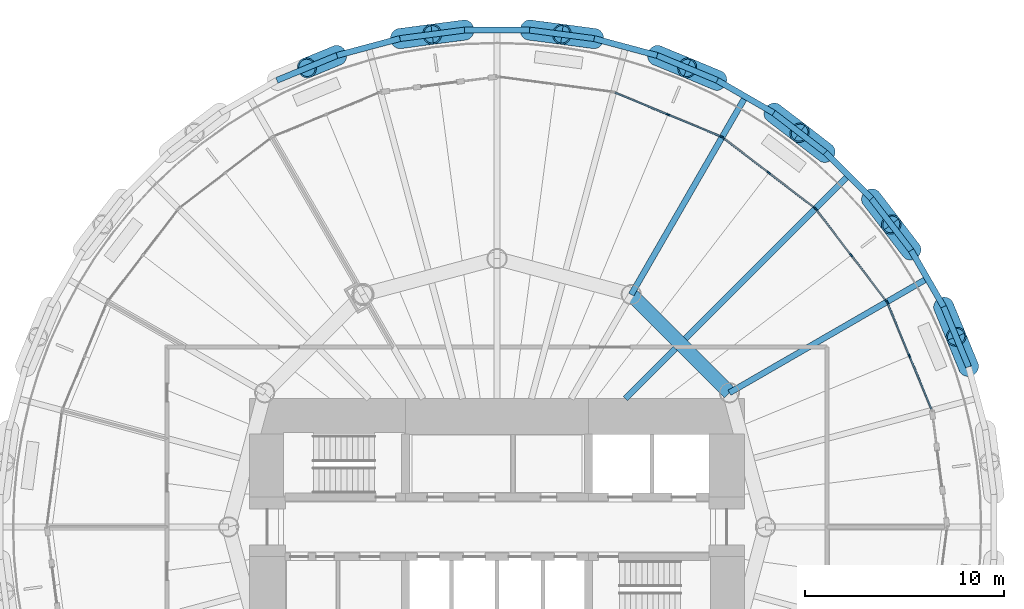
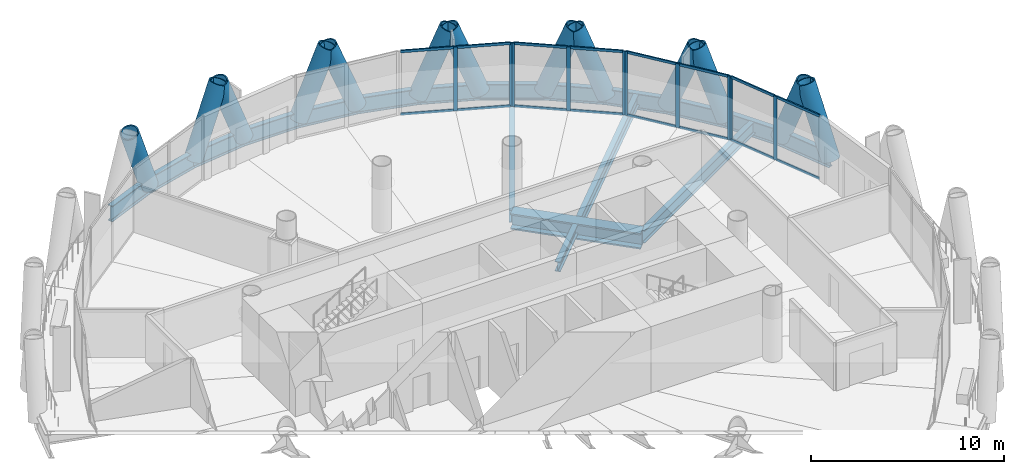
# One storey, part 7 of 15: 39 members, 18 beams, 4 elements without a shape of their own.
"""IFC4 building model written with IfcOpenShell, lengths in metres."""

from ifc_helpers import new_model, si_unit, direction, frame, origin, origin_2d, place, context, subcontext, project, spatial, rectangle, hollow_circle, i_section, extrude, material, material_profile, profile_set, type_object, element, aggregate, save


model = new_model("IFC4")

# Units and contexts
model_context = context("Model", 3, precision=1e-05, world=origin(), true_north=direction((0.0, 1.0)))
body_context = subcontext(model_context, "Body", "Model", "MODEL_VIEW")
ifc_project = project(units=[si_unit("LENGTHUNIT", "METRE"), si_unit("AREAUNIT", "SQUARE_METRE"), si_unit("VOLUMEUNIT", "CUBIC_METRE"), si_unit("PLANEANGLEUNIT", "RADIAN"), si_unit("MASSUNIT", "GRAM", prefix="KILO")], contexts=[model_context])

# Site, building, storey
site_placement = place(None, origin())
site = spatial("IfcSite", under=ifc_project, at=site_placement, CompositionType="ELEMENT")
building_placement = place(site_placement, origin())
building = spatial("IfcBuilding", under=site, at=building_placement, Name="Qaws Media Tower", CompositionType="ELEMENT")
storey_placement = place(building_placement, frame((0.0, 0.0, 131.0)))
storey = spatial("IfcBuildingStorey", under=building, at=storey_placement, Name="L29", CompositionType="ELEMENT", Elevation=131.0)

# Curtain wall, members
ifc_material_1 = material(Name="Aluminium and clear glass", Category="aluminium")
curtain_wall_type = type_object("IfcCurtainWallType", Name="Unitised curtain wall CW-B", PredefinedType="NOTDEFINED", material=ifc_material_1)
curtain_wall_1_placement = place(storey_placement, origin())
curtain_wall_1 = element("IfcCurtainWall", 1, at=curtain_wall_1_placement, inside=storey, type_object=curtain_wall_type, Name="CWB curtain wall L29-02", PredefinedType="NOTDEFINED")
ifc_material_2 = material(Name="Aluminium mullion", Category="aluminium")
ifc_material_profile_1 = material_profile(ifc_material_2, rectangle(XDim=0.080078125, YDim=0.199951171875, at=origin_2d()), Name="80x200")
ifc_profile_set_1 = profile_set([ifc_material_profile_1], Name="Aluminium mullion")
member_type_1 = type_object("IfcMemberType", Name="Curtain wall mullion 80x200", PredefinedType="MULLION", material=ifc_profile_set_1)
member_1_placement = place(storey_placement, frame((80.746826171875, 58.593505859375, 0.0), z_axis=(0.0, 0.0, 1.0), x_axis=(-0.923879515987, -0.382683472258, 0.0)))
member_1 = element("IfcMember", 2, at=member_1_placement, type_object=member_type_1, Name="CWB mullion 2", PredefinedType="MULLION", context=body_context, shape_type="SweptSolid", body=[
    extrude(rectangle(XDim=0.080078125, YDim=0.199951171875, at=origin_2d()), origin(), (0.0, 0.0, 1.0), 4.0400390625),
])
member_2_placement = place(storey_placement, frame((79.630859375, 61.2880859375, 0.0), z_axis=(0.0, 0.0, 1.0), x_axis=(-0.923879515987, -0.382683472258, 0.0)))
member_2 = element("IfcMember", 3, at=member_2_placement, type_object=member_type_1, Name="CWB mullion 3", PredefinedType="MULLION", context=body_context, shape_type="SweptSolid", body=[
    extrude(rectangle(XDim=0.080078125, YDim=0.199951171875, at=origin_2d()), origin(), (0.0, 0.0, 1.0), 4.0400390625),
])

curtain_wall_2_placement = place(storey_placement, origin())
curtain_wall_2 = element("IfcCurtainWall", 4, at=curtain_wall_2_placement, inside=storey, type_object=curtain_wall_type, Name="CWB curtain wall L29-03", PredefinedType="NOTDEFINED")
member_3_placement = place(storey_placement, frame((79.591064453125, 61.356689453125, 0.0), z_axis=(0.0, 0.0, 1.0), x_axis=(-0.79335343124, -0.608761310482, 0.0)))
member_3 = element("IfcMember", 5, at=member_3_placement, type_object=member_type_1, Name="CWB mullion 1", PredefinedType="MULLION", context=body_context, shape_type="SweptSolid", body=[
    extrude(rectangle(XDim=0.080078125, YDim=0.199951171875, at=origin_2d()), origin(), (0.0, 0.0, 1.0), 4.0400390625),
])
member_4_placement = place(storey_placement, frame((77.815673828125, 63.67041015625, 0.0), z_axis=(0.0, 0.0, 1.0), x_axis=(-0.79335343124, -0.608761310482, 0.0)))
member_4 = element("IfcMember", 6, at=member_4_placement, type_object=member_type_1, Name="CWB mullion 2", PredefinedType="MULLION", context=body_context, shape_type="SweptSolid", body=[
    extrude(rectangle(XDim=0.080078125, YDim=0.199951171875, at=origin_2d()), origin(), (0.0, 0.0, 1.0), 4.0400390625),
])
member_5_placement = place(storey_placement, frame((76.040283203125, 65.984130859375, 0.0), z_axis=(0.0, 0.0, 1.0), x_axis=(-0.79335343124, -0.608761310482, 0.0)))
member_5 = element("IfcMember", 7, at=member_5_placement, type_object=member_type_1, Name="CWB mullion 3", PredefinedType="MULLION", context=body_context, shape_type="SweptSolid", body=[
    extrude(rectangle(XDim=0.080078125, YDim=0.199951171875, at=origin_2d()), origin(), (0.0, 0.0, 1.0), 4.0400390625),
])

curtain_wall_3_placement = place(storey_placement, origin())
curtain_wall_3 = element("IfcCurtainWall", 8, at=curtain_wall_3_placement, inside=storey, type_object=curtain_wall_type, Name="CWB curtain wall L29-04", PredefinedType="NOTDEFINED")
member_6_placement = place(storey_placement, frame((75.984130859375, 66.040283203125, 0.0), z_axis=(0.0, 0.0, 1.0), x_axis=(-0.608761310482, -0.79335343124, 0.0)))
member_6 = element("IfcMember", 9, at=member_6_placement, type_object=member_type_1, Name="CWB mullion 1", PredefinedType="MULLION", context=body_context, shape_type="SweptSolid", body=[
    extrude(rectangle(XDim=0.080078125, YDim=0.199951171875, at=origin_2d()), origin(), (0.0, 0.0, 1.0), 4.0400390625),
])
member_7_placement = place(storey_placement, frame((73.67041015625, 67.815673828125, 0.0), z_axis=(0.0, 0.0, 1.0), x_axis=(-0.608761310482, -0.79335343124, 0.0)))
member_7 = element("IfcMember", 10, at=member_7_placement, type_object=member_type_1, Name="CWB mullion 2", PredefinedType="MULLION", context=body_context, shape_type="SweptSolid", body=[
    extrude(rectangle(XDim=0.080078125, YDim=0.199951171875, at=origin_2d()), origin(), (0.0, 0.0, 1.0), 4.0400390625),
])
member_8_placement = place(storey_placement, frame((71.356689453125, 69.591064453125, 0.0), z_axis=(0.0, 0.0, 1.0), x_axis=(-0.608761310482, -0.79335343124, 0.0)))
member_8 = element("IfcMember", 11, at=member_8_placement, type_object=member_type_1, Name="CWB mullion 3", PredefinedType="MULLION", context=body_context, shape_type="SweptSolid", body=[
    extrude(rectangle(XDim=0.080078125, YDim=0.199951171875, at=origin_2d()), origin(), (0.0, 0.0, 1.0), 4.0400390625),
])

curtain_wall_4_placement = place(storey_placement, origin())
curtain_wall_4 = element("IfcCurtainWall", 12, at=curtain_wall_4_placement, inside=storey, type_object=curtain_wall_type, Name="CWB curtain wall L29-05", PredefinedType="NOTDEFINED")
member_9_placement = place(storey_placement, frame((71.2880859375, 69.630859375, 0.0), z_axis=(0.0, 0.0, 1.0), x_axis=(-0.382683472258, -0.923879515987, 0.0)))
member_9 = element("IfcMember", 13, at=member_9_placement, type_object=member_type_1, Name="CWB mullion 1", PredefinedType="MULLION", context=body_context, shape_type="SweptSolid", body=[
    extrude(rectangle(XDim=0.080078125, YDim=0.199951171875, at=origin_2d()), origin(), (0.0, 0.0, 1.0), 4.0400390625),
])
member_10_placement = place(storey_placement, frame((68.593505859375, 70.746826171875, 0.0), z_axis=(0.0, 0.0, 1.0), x_axis=(-0.382683472258, -0.923879515987, 0.0)))
member_10 = element("IfcMember", 14, at=member_10_placement, type_object=member_type_1, Name="CWB mullion 2", PredefinedType="MULLION", context=body_context, shape_type="SweptSolid", body=[
    extrude(rectangle(XDim=0.080078125, YDim=0.199951171875, at=origin_2d()), origin(), (0.0, 0.0, 1.0), 4.0400390625),
])

# Member
ifc_material_3 = material(Name="Aluminium transom", Category="aluminium")
ifc_material_profile_2 = material_profile(ifc_material_3, rectangle(XDim=0.080078125, YDim=0.159912109375, at=origin_2d()), Name="80x160")
ifc_profile_set_2 = profile_set([ifc_material_profile_2], Name="Aluminium transom")
member_type_2 = type_object("IfcMemberType", Name="Curtain wall transom 80x160", PredefinedType="USERDEFINED", material=ifc_profile_set_2)
member_11_placement = place(storey_placement, frame((81.84765625, 55.936279296875, 0.0400390625), z_axis=(-0.382701494265, 0.92387205082, 0.0), x_axis=(-0.92387205082, -0.382701494265, 0.0)))
member_11 = element("IfcMember", 15, at=member_11_placement, type_object=member_type_2, Name="CWB transom 1.1", ObjectType="TRANSOM", PredefinedType="USERDEFINED", context=body_context, shape_type="SweptSolid", body=[
    extrude(rectangle(XDim=0.080078125, YDim=0.159912109375, at=origin_2d()), origin(), (0.0, 0.0, 1.0), 2.836181640625),
])

member_12_placement = place(storey_placement, frame((81.84765625, 55.936279296875, 4.0), z_axis=(-0.382701494265, 0.92387205082, 0.0), x_axis=(-0.92387205082, -0.382701494265, 0.0)))
member_12 = element("IfcMember", 16, at=member_12_placement, type_object=member_type_2, Name="CWB transom 1.2", ObjectType="TRANSOM", PredefinedType="USERDEFINED", context=body_context, shape_type="SweptSolid", body=[
    extrude(rectangle(XDim=0.080078125, YDim=0.159912109375, at=origin_2d()), origin(), (0.0, 0.0, 1.0), 2.836181640625),
])

member_13_placement = place(storey_placement, frame((80.7314453125, 58.630615234375, 0.0400390625), z_axis=(-0.382701494265, 0.92387205082, 0.0), x_axis=(-0.92387205082, -0.382701494265, 0.0)))
member_13 = element("IfcMember", 17, at=member_13_placement, type_object=member_type_2, Name="CWB transom 2.1", ObjectType="TRANSOM", PredefinedType="USERDEFINED", context=body_context, shape_type="SweptSolid", body=[
    extrude(rectangle(XDim=0.080078125, YDim=0.159912109375, at=origin_2d()), origin(), (0.0, 0.0, 1.0), 2.836181640625),
])

member_14_placement = place(storey_placement, frame((80.7314453125, 58.630615234375, 4.0), z_axis=(-0.382701494265, 0.92387205082, 0.0), x_axis=(-0.92387205082, -0.382701494265, 0.0)))
member_14 = element("IfcMember", 18, at=member_14_placement, type_object=member_type_2, Name="CWB transom 2.2", ObjectType="TRANSOM", PredefinedType="USERDEFINED", context=body_context, shape_type="SweptSolid", body=[
    extrude(rectangle(XDim=0.080078125, YDim=0.159912109375, at=origin_2d()), origin(), (0.0, 0.0, 1.0), 2.836181640625),
])

aggregate(curtain_wall_1, [member_1, member_2, member_11, member_12, member_13, member_14])

member_15_placement = place(storey_placement, frame((79.56689453125, 61.388427734375, 0.0400390625), z_axis=(-0.608791070465, 0.793330594722, 0.0), x_axis=(-0.793330594722, -0.608791070465, 0.0)))
member_15 = element("IfcMember", 19, at=member_15_placement, type_object=member_type_2, Name="CWB transom 1.1", ObjectType="TRANSOM", PredefinedType="USERDEFINED", context=body_context, shape_type="SweptSolid", body=[
    extrude(rectangle(XDim=0.080078125, YDim=0.159912109375, at=origin_2d()), origin(), (0.0, 0.0, 1.0), 2.83642578125),
])

member_16_placement = place(storey_placement, frame((79.56689453125, 61.388427734375, 4.0), z_axis=(-0.608791070465, 0.793330594722, 0.0), x_axis=(-0.793330594722, -0.608791070465, 0.0)))
member_16 = element("IfcMember", 20, at=member_16_placement, type_object=member_type_2, Name="CWB transom 1.2", ObjectType="TRANSOM", PredefinedType="USERDEFINED", context=body_context, shape_type="SweptSolid", body=[
    extrude(rectangle(XDim=0.080078125, YDim=0.159912109375, at=origin_2d()), origin(), (0.0, 0.0, 1.0), 2.83642578125),
])

member_17_placement = place(storey_placement, frame((77.791259765625, 63.7021484375, 0.0400390625), z_axis=(-0.608736894437, 0.793372165728, 0.0), x_axis=(-0.793372165728, -0.608736894437, 0.0)))
member_17 = element("IfcMember", 21, at=member_17_placement, type_object=member_type_2, Name="CWB transom 2.1", ObjectType="TRANSOM", PredefinedType="USERDEFINED", context=body_context, shape_type="SweptSolid", body=[
    extrude(rectangle(XDim=0.080078125, YDim=0.159912109375, at=origin_2d()), origin(), (0.0, 0.0, 1.0), 2.836181640625),
])

member_18_placement = place(storey_placement, frame((77.791259765625, 63.7021484375, 4.0), z_axis=(-0.608736894437, 0.793372165728, 0.0), x_axis=(-0.793372165728, -0.608736894437, 0.0)))
member_18 = element("IfcMember", 22, at=member_18_placement, type_object=member_type_2, Name="CWB transom 2.2", ObjectType="TRANSOM", PredefinedType="USERDEFINED", context=body_context, shape_type="SweptSolid", body=[
    extrude(rectangle(XDim=0.080078125, YDim=0.159912109375, at=origin_2d()), origin(), (0.0, 0.0, 1.0), 2.836181640625),
])

aggregate(curtain_wall_2, [member_3, member_4, member_5, member_15, member_16, member_17, member_18])

member_19_placement = place(storey_placement, frame((75.952392578125, 66.064697265625, 0.0400390625), z_axis=(-0.793372165728, 0.608736894437, 0.0), x_axis=(-0.608736894437, -0.793372165728, 0.0)))
member_19 = element("IfcMember", 23, at=member_19_placement, type_object=member_type_2, Name="CWB transom 1.1", ObjectType="TRANSOM", PredefinedType="USERDEFINED", context=body_context, shape_type="SweptSolid", body=[
    extrude(rectangle(XDim=0.080078125, YDim=0.159912109375, at=origin_2d()), origin(), (0.0, 0.0, 1.0), 2.836181640625),
])

member_20_placement = place(storey_placement, frame((75.952392578125, 66.064697265625, 4.0), z_axis=(-0.793372165728, 0.608736894437, 0.0), x_axis=(-0.608736894437, -0.793372165728, 0.0)))
member_20 = element("IfcMember", 24, at=member_20_placement, type_object=member_type_2, Name="CWB transom 1.2", ObjectType="TRANSOM", PredefinedType="USERDEFINED", context=body_context, shape_type="SweptSolid", body=[
    extrude(rectangle(XDim=0.080078125, YDim=0.159912109375, at=origin_2d()), origin(), (0.0, 0.0, 1.0), 2.836181640625),
])

member_21_placement = place(storey_placement, frame((73.638671875, 67.840087890625, 0.0400390625), z_axis=(-0.793330594722, 0.608791070465, 0.0), x_axis=(-0.608791070465, -0.793330594722, 0.0)))
member_21 = element("IfcMember", 25, at=member_21_placement, type_object=member_type_2, Name="CWB transom 2.1", ObjectType="TRANSOM", PredefinedType="USERDEFINED", context=body_context, shape_type="SweptSolid", body=[
    extrude(rectangle(XDim=0.080078125, YDim=0.159912109375, at=origin_2d()), origin(), (0.0, 0.0, 1.0), 2.83642578125),
])

member_22_placement = place(storey_placement, frame((73.638671875, 67.840087890625, 4.0), z_axis=(-0.793330594722, 0.608791070465, 0.0), x_axis=(-0.608791070465, -0.793330594722, 0.0)))
member_22 = element("IfcMember", 26, at=member_22_placement, type_object=member_type_2, Name="CWB transom 2.2", ObjectType="TRANSOM", PredefinedType="USERDEFINED", context=body_context, shape_type="SweptSolid", body=[
    extrude(rectangle(XDim=0.080078125, YDim=0.159912109375, at=origin_2d()), origin(), (0.0, 0.0, 1.0), 2.83642578125),
])

aggregate(curtain_wall_3, [member_6, member_7, member_8, member_19, member_20, member_21, member_22])

member_23_placement = place(storey_placement, frame((71.2509765625, 69.64599609375, 0.0400390625), z_axis=(-0.92387205082, 0.382701494265, 0.0), x_axis=(-0.382701494265, -0.92387205082, 0.0)))
member_23 = element("IfcMember", 27, at=member_23_placement, type_object=member_type_2, Name="CWB transom 1.1", ObjectType="TRANSOM", PredefinedType="USERDEFINED", context=body_context, shape_type="SweptSolid", body=[
    extrude(rectangle(XDim=0.080078125, YDim=0.159912109375, at=origin_2d()), origin(), (0.0, 0.0, 1.0), 2.836181640625),
])

member_24_placement = place(storey_placement, frame((71.2509765625, 69.64599609375, 4.0), z_axis=(-0.92387205082, 0.382701494265, 0.0), x_axis=(-0.382701494265, -0.92387205082, 0.0)))
member_24 = element("IfcMember", 28, at=member_24_placement, type_object=member_type_2, Name="CWB transom 1.2", ObjectType="TRANSOM", PredefinedType="USERDEFINED", context=body_context, shape_type="SweptSolid", body=[
    extrude(rectangle(XDim=0.080078125, YDim=0.159912109375, at=origin_2d()), origin(), (0.0, 0.0, 1.0), 2.836181640625),
])

member_25_placement = place(storey_placement, frame((68.556640625, 70.76220703125, 0.0400390625), z_axis=(-0.92387205082, 0.382701494265, 0.0), x_axis=(-0.382701494265, -0.92387205082, 0.0)))
member_25 = element("IfcMember", 29, at=member_25_placement, type_object=member_type_2, Name="CWB transom 2.1", ObjectType="TRANSOM", PredefinedType="USERDEFINED", context=body_context, shape_type="SweptSolid", body=[
    extrude(rectangle(XDim=0.080078125, YDim=0.159912109375, at=origin_2d()), origin(), (0.0, 0.0, 1.0), 2.836181640625),
])

member_26_placement = place(storey_placement, frame((68.556640625, 70.76220703125, 4.0), z_axis=(-0.92387205082, 0.382701494265, 0.0), x_axis=(-0.382701494265, -0.92387205082, 0.0)))
member_26 = element("IfcMember", 30, at=member_26_placement, type_object=member_type_2, Name="CWB transom 2.2", ObjectType="TRANSOM", PredefinedType="USERDEFINED", context=body_context, shape_type="SweptSolid", body=[
    extrude(rectangle(XDim=0.080078125, YDim=0.159912109375, at=origin_2d()), origin(), (0.0, 0.0, 1.0), 2.836181640625),
])

aggregate(curtain_wall_4, [member_9, member_10, member_23, member_24, member_25, member_26])

# Members
ifc_material_4 = material(Name="Steel S460", Category="steel")
ifc_material_profile_3 = material_profile(ifc_material_4, hollow_circle(Radius=0.508056640625, WallThickness=0.070068359375, at=origin_2d()), Name="CHS 1016x70")
ifc_profile_set_3 = profile_set([ifc_material_profile_3], Name="Steel S460")
member_type_3 = type_object("IfcMemberType", Name="Diagrid member CHS 1016x70", PredefinedType="USERDEFINED", material=ifc_profile_set_3)
for number, where, z_axis, x_axis, name in (
    (31, (83.720703125, 58.052001953125, -0.6640625), (-0.13836391455, 0.336080803796, 0.931614255188), (-0.924699697711, -0.380697345738, 0.0), "DG3 diagrid L29 A02"),
    (32, (80.828369140625, 63.9169921875, -0.6640625), (-0.220625429951, 0.288805944508, 0.931619850624), (-0.794658028711, -0.607057342765, 0.0), "DG3 diagrid L29 A03"),
    (33, (82.466552734375, 61.079345703125, -0.6640625), (0.139828148324, -0.335435922045, 0.931628054074), (0.923015187913, 0.38476351553, 0.0), "DG3 diagrid L29 B03"),
    (34, (76.5166015625, 68.83349609375, -0.6640625), (-0.28783273825, 0.221872197293, 0.93162494753), (-0.610509807701, -0.792008696102, 0.0), "DG3 diagrid L29 A04"),
    (35, (78.83349609375, 66.5166015625, -0.6640625), (0.221872197293, -0.28783273825, 0.93162494753), (0.792008696102, 0.610509807701, 0.0), "DG3 diagrid L29 B04"),
    (36, (71.079345703125, 72.466552734375, -0.6640625), (-0.335435922045, 0.139828148324, 0.931628054074), (-0.38476351553, -0.923015187913, 0.0), "DG3 diagrid L29 A05"),
    (37, (73.9169921875, 70.828369140625, -0.6640625), (0.288805944508, -0.220625429951, 0.931619850624), (0.607057342765, 0.794658028711, 0.0), "DG3 diagrid L29 B05"),
):
    element("IfcMember", number, at=place(storey_placement, frame(where, z_axis=z_axis, x_axis=x_axis)), inside=storey, type_object=member_type_3, Name=name, ObjectType="DIAGRID", PredefinedType="USERDEFINED", context=body_context, shape_type="SweptSolid", body=[
        extrude(hollow_circle(Radius=0.508056640625, WallThickness=0.070068359375, at=origin_2d()), origin(), (0.0, 0.0, 1.0), 4.50830078125),
    ])
member_27_placement = place(storey_placement, frame((64.886962890625, 74.568603515625, -0.6640625), z_axis=(-0.360186160571, 0.048252273202, 0.931631712569), x_axis=(-0.132778654682, -0.991145715251, 0.0)))
element("IfcMember", 38, at=member_27_placement, inside=storey, type_object=member_type_3, Name="DG3 diagrid L29 A06", ObjectType="DIAGRID", PredefinedType="USERDEFINED", context=body_context, shape_type="SweptSolid", body=[
    extrude(hollow_circle(Radius=0.508056640625, WallThickness=0.070068359375, at=origin_2d()), origin(), (0.0, 0.0, 1.0), 4.508056640625),
])
member_28_placement = place(storey_placement, frame((68.052001953125, 73.720703125, -0.6640625), z_axis=(0.336080803796, -0.13836391455, 0.931614255188), x_axis=(0.380697345738, 0.924699697711, 0.0)))
element("IfcMember", 39, at=member_28_placement, inside=storey, type_object=member_type_3, Name="DG3 diagrid L29 B06", ObjectType="DIAGRID", PredefinedType="USERDEFINED", context=body_context, shape_type="SweptSolid", body=[
    extrude(hollow_circle(Radius=0.508056640625, WallThickness=0.070068359375, at=origin_2d()), origin(), (0.0, 0.0, 1.0), 4.50830078125),
])
for number, where, z_axis, x_axis, name in (
    (40, (58.361572265625, 74.996337890625, -0.6640625), (-0.360402430408, -0.046627572138, 0.931630805455), (0.128307046915, -0.991734491541, 0.0), "DG3 diagrid L29 A07"),
    (41, (61.638427734375, 74.996337890625, -0.6640625), (0.360402430408, -0.046627572138, 0.931630805455), (0.128307046915, 0.991734491541, 0.0), "DG3 diagrid L29 B07"),
):
    element("IfcMember", number, at=place(storey_placement, frame(where, z_axis=z_axis, x_axis=x_axis)), inside=storey, type_object=member_type_3, Name=name, ObjectType="DIAGRID", PredefinedType="USERDEFINED", context=body_context, shape_type="SweptSolid", body=[
        extrude(hollow_circle(Radius=0.508056640625, WallThickness=0.070068359375, at=origin_2d()), origin(), (0.0, 0.0, 1.0), 4.508056640625),
    ])
member_29_placement = place(storey_placement, frame((51.947998046875, 73.720703125, -0.6640625), z_axis=(-0.336080803796, -0.13836391455, 0.931614255188), x_axis=(0.380697345738, -0.924699697711, 0.0)))
element("IfcMember", 42, at=member_29_placement, inside=storey, type_object=member_type_3, Name="DG3 diagrid L29 A08", ObjectType="DIAGRID", PredefinedType="USERDEFINED", context=body_context, shape_type="SweptSolid", body=[
    extrude(hollow_circle(Radius=0.508056640625, WallThickness=0.070068359375, at=origin_2d()), origin(), (0.0, 0.0, 1.0), 4.50830078125),
])
member_30_placement = place(storey_placement, frame((55.113037109375, 74.568603515625, -0.6640625), z_axis=(0.360186160571, 0.048252273202, 0.931631712569), x_axis=(-0.132778654682, 0.991145715251, 0.0)))
element("IfcMember", 43, at=member_30_placement, inside=storey, type_object=member_type_3, Name="DG3 diagrid L29 B08", ObjectType="DIAGRID", PredefinedType="USERDEFINED", context=body_context, shape_type="SweptSolid", body=[
    extrude(hollow_circle(Radius=0.508056640625, WallThickness=0.070068359375, at=origin_2d()), origin(), (0.0, 0.0, 1.0), 4.508056640625),
])

# Beams
ifc_material_5 = material(Name="Steel S460", Category="steel")
ifc_material_profile_4 = material_profile(ifc_material_5, i_section(OverallWidth=0.302001953125, OverallDepth=1.008056640625, WebThickness=0.02099609375, FlangeThickness=0.0400390625, FilletRadius=0.030029296875, at=origin_2d()), Name="HE 1000 M")
ifc_profile_set_4 = profile_set([ifc_material_profile_4], Name="Steel S460")
beam_type_1 = type_object("IfcBeamType", Name="Edge ring beam HE 1000 M", PredefinedType="BEAM", material=ifc_profile_set_4)
beam_1_placement = place(storey_placement, frame((83.720703125, 58.052001953125, -0.6640625), z_axis=(-0.382731243391, 0.923859727087, 0.0), x_axis=(-0.923859727087, -0.382731243391, 0.0)))
element("IfcBeam", 44, at=beam_1_placement, inside=storey, type_object=beam_type_1, Name="RB3 edge ring beam L29-03", PredefinedType="BEAM", context=body_context, shape_type="SweptSolid", body=[
    extrude(i_section(OverallWidth=0.302001953125, OverallDepth=1.008056640625, WebThickness=0.02099609375, FlangeThickness=0.0400390625, FilletRadius=0.030029296875, at=origin_2d()), origin(), (0.0, 0.0, 1.0), 3.27685546875),
])
beam_2_placement = place(storey_placement, frame((82.466552734375, 61.079345703125, -0.6640625), z_axis=(-0.499969700927, 0.866042896256, 0.0), x_axis=(-0.866042896256, -0.499969700927, 0.0)))
element("IfcBeam", 45, at=beam_2_placement, inside=storey, type_object=beam_type_1, Name="RB3 edge ring beam L29-04", PredefinedType="BEAM", context=body_context, shape_type="SweptSolid", body=[
    extrude(i_section(OverallWidth=0.302001953125, OverallDepth=1.008056640625, WebThickness=0.02099609375, FlangeThickness=0.0400390625, FilletRadius=0.030029296875, at=origin_2d()), origin(), (0.0, 0.0, 1.0), 3.276611328125),
])
beam_3_placement = place(storey_placement, frame((80.828369140625, 63.9169921875, -0.6640625), z_axis=(-0.608784980665, 0.793335267914, 0.0), x_axis=(-0.793335267914, -0.608784980665, 0.0)))
element("IfcBeam", 46, at=beam_3_placement, inside=storey, type_object=beam_type_1, Name="RB3 edge ring beam L29-05", PredefinedType="BEAM", context=body_context, shape_type="SweptSolid", body=[
    extrude(i_section(OverallWidth=0.302001953125, OverallDepth=1.008056640625, WebThickness=0.02099609375, FlangeThickness=0.0400390625, FilletRadius=0.030029296875, at=origin_2d()), origin(), (0.0, 0.0, 1.0), 3.27685546875),
])
beam_4_placement = place(storey_placement, frame((78.83349609375, 66.5166015625, -0.6640625), z_axis=(-0.707106781187, 0.707106781187, 0.0), x_axis=(-0.707106781187, -0.707106781187, 0.0)))
element("IfcBeam", 47, at=beam_4_placement, inside=storey, type_object=beam_type_1, Name="RB3 edge ring beam L29-06", PredefinedType="BEAM", context=body_context, shape_type="SweptSolid", body=[
    extrude(i_section(OverallWidth=0.302001953125, OverallDepth=1.008056640625, WebThickness=0.02099609375, FlangeThickness=0.0400390625, FilletRadius=0.030029296875, at=origin_2d()), origin(), (0.0, 0.0, 1.0), 3.276611328125),
])
beam_5_placement = place(storey_placement, frame((76.5166015625, 68.83349609375, -0.6640625), z_axis=(-0.793335267914, 0.608784980665, 0.0), x_axis=(-0.608784980665, -0.793335267914, 0.0)))
element("IfcBeam", 48, at=beam_5_placement, inside=storey, type_object=beam_type_1, Name="RB3 edge ring beam L29-07", PredefinedType="BEAM", context=body_context, shape_type="SweptSolid", body=[
    extrude(i_section(OverallWidth=0.302001953125, OverallDepth=1.008056640625, WebThickness=0.02099609375, FlangeThickness=0.0400390625, FilletRadius=0.030029296875, at=origin_2d()), origin(), (0.0, 0.0, 1.0), 3.27685546875),
])
beam_6_placement = place(storey_placement, frame((73.9169921875, 70.828369140625, -0.6640625), z_axis=(-0.866042896256, 0.499969700927, 0.0), x_axis=(-0.499969700927, -0.866042896256, 0.0)))
element("IfcBeam", 49, at=beam_6_placement, inside=storey, type_object=beam_type_1, Name="RB3 edge ring beam L29-08", PredefinedType="BEAM", context=body_context, shape_type="SweptSolid", body=[
    extrude(i_section(OverallWidth=0.302001953125, OverallDepth=1.008056640625, WebThickness=0.02099609375, FlangeThickness=0.0400390625, FilletRadius=0.030029296875, at=origin_2d()), origin(), (0.0, 0.0, 1.0), 3.276611328125),
])
beam_7_placement = place(storey_placement, frame((71.079345703125, 72.466552734375, -0.6640625), z_axis=(-0.923859727087, 0.382731243391, 0.0), x_axis=(-0.382731243391, -0.923859727087, 0.0)))
element("IfcBeam", 50, at=beam_7_placement, inside=storey, type_object=beam_type_1, Name="RB3 edge ring beam L29-09", PredefinedType="BEAM", context=body_context, shape_type="SweptSolid", body=[
    extrude(i_section(OverallWidth=0.302001953125, OverallDepth=1.008056640625, WebThickness=0.02099609375, FlangeThickness=0.0400390625, FilletRadius=0.030029296875, at=origin_2d()), origin(), (0.0, 0.0, 1.0), 3.27685546875),
])
for number, where, z_axis, x_axis, name in (
    (51, (68.052001953125, 73.720703125, -0.6640625), (-0.965938739985, 0.258770845724, 0.0), (-0.258770845724, -0.965938739985, 0.0), "RB3 edge ring beam L29-10"),
    (52, (64.886962890625, 74.568603515625, -0.6640625), (-0.991442625467, 0.130543174494, 0.0), (-0.130543174494, -0.991442625467, 0.0), "RB3 edge ring beam L29-11"),
):
    element("IfcBeam", number, at=place(storey_placement, frame(where, z_axis=z_axis, x_axis=x_axis)), inside=storey, type_object=beam_type_1, Name=name, PredefinedType="BEAM", context=body_context, shape_type="SweptSolid", body=[
        extrude(i_section(OverallWidth=0.302001953125, OverallDepth=1.008056640625, WebThickness=0.02099609375, FlangeThickness=0.0400390625, FilletRadius=0.030029296875, at=origin_2d()), origin(), (0.0, 0.0, 1.0), 3.276611328125),
    ])
beam_8_placement = place(storey_placement, frame((61.638427734375, 74.996337890625, -0.6640625), z_axis=(-1.0, 0.0, 0.0), x_axis=(0.0, -1.0, 0.0)))
element("IfcBeam", 53, at=beam_8_placement, inside=storey, type_object=beam_type_1, Name="RB3 edge ring beam L29-12", PredefinedType="BEAM", context=body_context, shape_type="SweptSolid", body=[
    extrude(i_section(OverallWidth=0.302001953125, OverallDepth=1.008056640625, WebThickness=0.02099609375, FlangeThickness=0.0400390625, FilletRadius=0.030029296875, at=origin_2d()), origin(), (0.0, 0.0, 1.0), 3.27685546875),
])
for number, where, z_axis, x_axis, name in (
    (54, (58.361572265625, 74.996337890625, -0.6640625), (-0.991442625467, -0.130543174494, 0.0), (0.130543174494, -0.991442625467, 0.0), "RB3 edge ring beam L29-13"),
    (55, (55.113037109375, 74.568603515625, -0.6640625), (-0.965938739985, -0.258770845724, 0.0), (0.258770845724, -0.965938739985, 0.0), "RB3 edge ring beam L29-14"),
):
    element("IfcBeam", number, at=place(storey_placement, frame(where, z_axis=z_axis, x_axis=x_axis)), inside=storey, type_object=beam_type_1, Name=name, PredefinedType="BEAM", context=body_context, shape_type="SweptSolid", body=[
        extrude(i_section(OverallWidth=0.302001953125, OverallDepth=1.008056640625, WebThickness=0.02099609375, FlangeThickness=0.0400390625, FilletRadius=0.030029296875, at=origin_2d()), origin(), (0.0, 0.0, 1.0), 3.276611328125),
    ])
beam_9_placement = place(storey_placement, frame((51.947998046875, 73.720703125, -0.6640625), z_axis=(-0.923859727087, -0.382731243391, 0.0), x_axis=(0.382731243391, -0.923859727087, 0.0)))
element("IfcBeam", 56, at=beam_9_placement, inside=storey, type_object=beam_type_1, Name="RB3 edge ring beam L29-15", PredefinedType="BEAM", context=body_context, shape_type="SweptSolid", body=[
    extrude(i_section(OverallWidth=0.302001953125, OverallDepth=1.008056640625, WebThickness=0.02099609375, FlangeThickness=0.0400390625, FilletRadius=0.030029296875, at=origin_2d()), origin(), (0.0, 0.0, 1.0), 3.27685546875),
])
ifc_material_6 = material(Name="Steel S460", Category="steel")
ifc_material_profile_5 = material_profile(ifc_material_6, i_section(OverallWidth=0.699951171875, OverallDepth=1.0, WebThickness=0.034912109375, FlangeThickness=0.090087890625, at=origin_2d()), Name="PG 1000x700")
ifc_profile_set_5 = profile_set([ifc_material_profile_5], Name="Steel S460")
beam_type_2 = type_object("IfcBeamType", Name="Inner ring girder PG 1000x700", PredefinedType="BEAM", material=ifc_profile_set_5)
beam_10_placement = place(storey_placement, frame((71.69140625, 56.75, -0.659912109375), z_axis=(-0.707106781187, 0.707106781187, 0.0), x_axis=(-0.707106781187, -0.707106781187, 0.0)))
element("IfcBeam", 57, at=beam_10_placement, inside=storey, type_object=beam_type_2, Name="B3 inner ring beam L29 I02-I03", PredefinedType="BEAM", context=body_context, shape_type="SweptSolid", body=[
    extrude(i_section(OverallWidth=0.699951171875, OverallDepth=1.0, WebThickness=0.034912109375, FlangeThickness=0.090087890625, at=origin_2d()), origin(), (0.0, 0.0, 1.0), 6.98828125),
])
ifc_material_7 = material(Name="Steel S355", Category="steel")
ifc_material_profile_6 = material_profile(ifc_material_7, i_section(OverallWidth=0.304931640625, OverallDepth=0.6201171875, WebThickness=0.02099609375, FlangeThickness=0.0400390625, FilletRadius=0.027099609375, at=origin_2d()), Name="HE 600 M")
ifc_profile_set_6 = profile_set([ifc_material_profile_6], Name="Steel S355")
beam_type_3 = type_object("IfcBeamType", Name="Radial beam HE 600 M, core side", PredefinedType="BEAM", material=ifc_profile_set_6)
beam_11_placement = place(storey_placement, frame((66.449951171875, 56.449951171875, -0.469970703125), z_axis=(0.707106781187, 0.707106781187, 0.0), x_axis=(-0.707106781187, 0.707106781187, 0.0)))
element("IfcBeam", 58, at=beam_11_placement, inside=storey, type_object=beam_type_3, Name="B2 radial beam L29 04", PredefinedType="BEAM", context=body_context, shape_type="SweptSolid", body=[
    extrude(i_section(OverallWidth=0.304931640625, OverallDepth=0.6201171875, WebThickness=0.02099609375, FlangeThickness=0.0400390625, FilletRadius=0.027099609375, at=origin_2d()), origin(), (0.0, 0.0, 1.0), 3.568359375),
])
ifc_material_8 = material(Name="Steel S355", Category="steel")
ifc_material_profile_7 = material_profile(ifc_material_8, i_section(OverallWidth=0.300048828125, OverallDepth=0.800048828125, WebThickness=0.017578125, FlangeThickness=0.032958984375, FilletRadius=0.030029296875, at=origin_2d()), Name="HE 800 B")
ifc_profile_set_7 = profile_set([ifc_material_profile_7], Name="Steel S355")
beam_type_4 = type_object("IfcBeamType", Name="Radial beam HE 800 B", PredefinedType="BEAM", material=ifc_profile_set_7)
beam_12_placement = place(storey_placement, frame((71.69140625, 56.75, -0.56005859375), z_axis=(0.866019371188, 0.500010448618, 0.0), x_axis=(-0.500010448618, 0.866019371188, 0.0)))
element("IfcBeam", 59, at=beam_12_placement, inside=storey, type_object=beam_type_4, Name="B1 radial beam L29 03", PredefinedType="BEAM", context=body_context, shape_type="SweptSolid", body=[
    extrude(i_section(OverallWidth=0.300048828125, OverallDepth=0.800048828125, WebThickness=0.017578125, FlangeThickness=0.032958984375, FilletRadius=0.030029296875, at=origin_2d()), origin(), (0.0, 0.0, 1.0), 11.496337890625),
])
beam_13_placement = place(storey_placement, frame((69.46826171875, 59.46826171875, -0.56005859375), z_axis=(0.707106781187, 0.707106781187, 0.0), x_axis=(-0.707106781187, 0.707106781187, 0.0)))
element("IfcBeam", 60, at=beam_13_placement, inside=storey, type_object=beam_type_4, Name="B1 radial beam L29 04", PredefinedType="BEAM", context=body_context, shape_type="SweptSolid", body=[
    extrude(i_section(OverallWidth=0.300048828125, OverallDepth=0.800048828125, WebThickness=0.017578125, FlangeThickness=0.032958984375, FilletRadius=0.030029296875, at=origin_2d()), origin(), (0.0, 0.0, 1.0), 11.606201171875),
])
beam_14_placement = place(storey_placement, frame((66.75, 61.69140625, -0.56005859375), z_axis=(0.500010448618, 0.866019371188, 0.0), x_axis=(-0.866019371188, 0.500010448618, 0.0)))
element("IfcBeam", 61, at=beam_14_placement, inside=storey, type_object=beam_type_4, Name="B1 radial beam L29 05", PredefinedType="BEAM", context=body_context, shape_type="SweptSolid", body=[
    extrude(i_section(OverallWidth=0.300048828125, OverallDepth=0.800048828125, WebThickness=0.017578125, FlangeThickness=0.032958984375, FilletRadius=0.030029296875, at=origin_2d()), origin(), (0.0, 0.0, 1.0), 11.496337890625),
])

save(model, "model.ifc")
